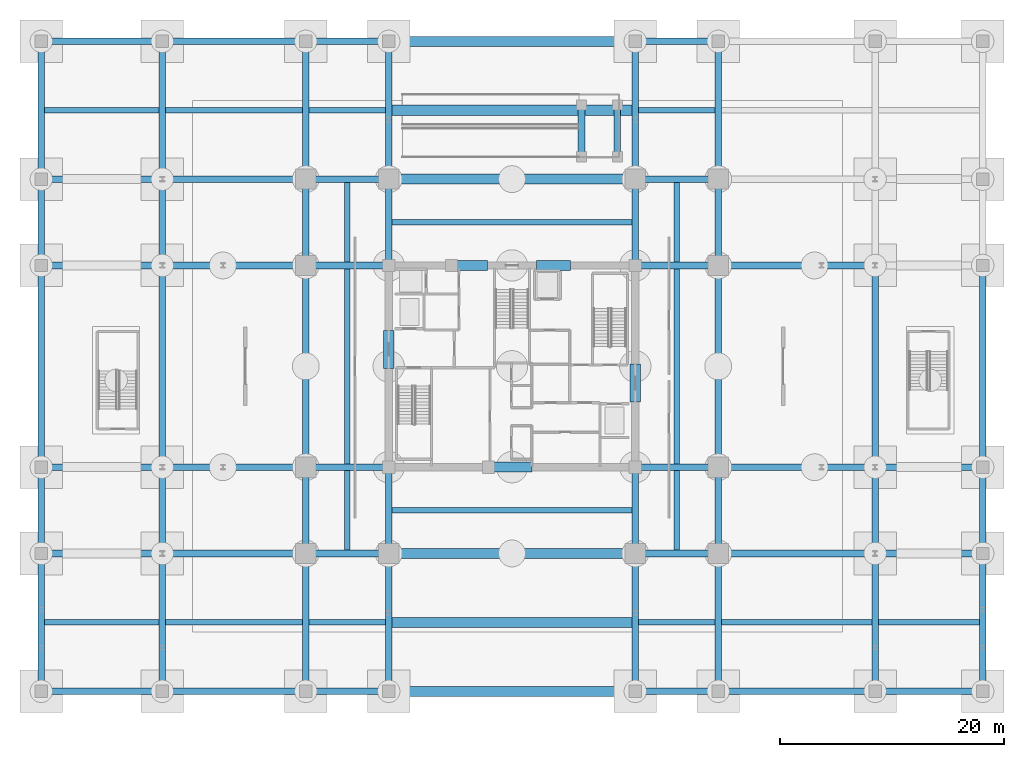
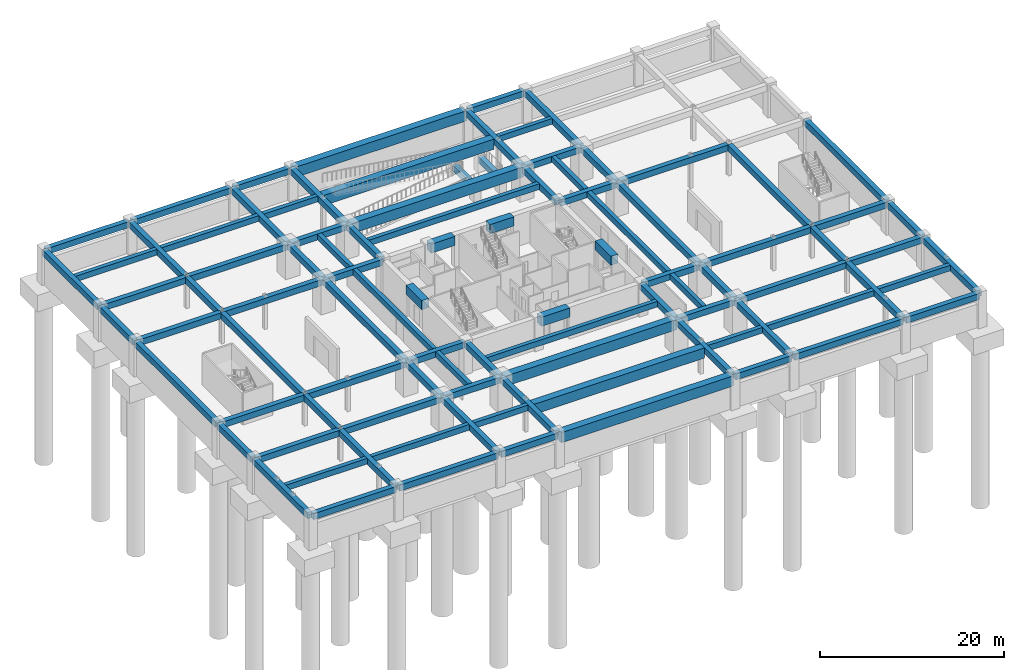
# One storey, part 5 of 17: 96 beams.
"""IFC4 building model written with IfcOpenShell, lengths in metres."""

from ifc_helpers import new_model, si_unit, direction, frame, origin, origin_2d, place, context, subcontext, project, spatial, rectangle, extrude, material, material_profile, profile_set, type_object, element, save


model = new_model("IFC4")

# Units and contexts
model_context = context("Model", 3, precision=1e-05, world=origin(), true_north=direction((0.0, 1.0)))
body_context = subcontext(model_context, "Body", "Model", "MODEL_VIEW")
ifc_project = project(units=[si_unit("LENGTHUNIT", "METRE"), si_unit("AREAUNIT", "SQUARE_METRE"), si_unit("VOLUMEUNIT", "CUBIC_METRE"), si_unit("PLANEANGLEUNIT", "RADIAN"), si_unit("MASSUNIT", "GRAM", prefix="KILO")], contexts=[model_context])

# Site, building, storey
site_placement = place(None, origin())
site = spatial("IfcSite", under=ifc_project, at=site_placement, CompositionType="ELEMENT")
building_placement = place(site_placement, origin())
building = spatial("IfcBuilding", under=site, at=building_placement, Name="Kovane Verandah Tower", CompositionType="ELEMENT")
storey_placement = place(building_placement, frame((0.0, 0.0, -9.0)))
storey = spatial("IfcBuildingStorey", under=building, at=storey_placement, Name="B2", CompositionType="ELEMENT", Elevation=-9.0)

# Beams
ifc_material_1 = material(Name="Concrete C80/95", Category="concrete")
ifc_material_profile_1 = material_profile(ifc_material_1, rectangle(XDim=0.89990234375, YDim=1.199951171875, at=origin_2d()), Name="RCB900x1200")
ifc_profile_set_1 = profile_set([ifc_material_profile_1], Name="Concrete C80/95")
beam_type_1 = type_object("IfcBeamType", Name="BM-LINTEL-900x1200", PredefinedType="LINTEL", material=ifc_profile_set_1)
beam_1_placement = place(storey_placement, frame((38.199951171875, 18.5, 3.60009765625), z_axis=(1.0, 0.0, 0.0), x_axis=(0.0, 1.0, 0.0)))
element("IfcBeam", 1, at=beam_1_placement, inside=storey, type_object=beam_type_1, Name="B2 Core Coupling Lintel CL-S", PredefinedType="LINTEL", context=body_context, shape_type="SweptSolid", body=[
    extrude(rectangle(XDim=0.89990234375, YDim=1.199951171875, at=origin_2d()), origin(), (0.0, 0.0, 1.0), 3.60009765625),
])
for number, where, z_axis, x_axis, name in (
    (2, (34.800048828125, 36.5, 3.60009765625), (1.0, 0.0, 0.0), (0.0, 1.0, 0.0), "B2 Core Coupling Lintel CL-N1"),
    (3, (42.199951171875, 36.5, 3.60009765625), (1.0, 0.0, 0.0), (0.0, 1.0, 0.0), "B2 Core Coupling Lintel CL-N2"),
):
    element("IfcBeam", number, at=place(storey_placement, frame(where, z_axis=z_axis, x_axis=x_axis)), inside=storey, type_object=beam_type_1, Name=name, PredefinedType="LINTEL", context=body_context, shape_type="SweptSolid", body=[
        extrude(rectangle(XDim=0.89990234375, YDim=1.199951171875, at=origin_2d()), origin(), (0.0, 0.0, 1.0), 3.0),
    ])
for number, where, z_axis, x_axis, name in (
    (4, (29.0, 27.300048828125, 3.60009765625), (0.0, 1.0, 0.0), (-1.0, 0.0, 0.0), "B2 Core Coupling Lintel CL-W"),
    (5, (51.0, 24.300048828125, 3.60009765625), (0.0, 1.0, 0.0), (-1.0, 0.0, 0.0), "B2 Core Coupling Lintel CL-E"),
):
    element("IfcBeam", number, at=place(storey_placement, frame(where, z_axis=z_axis, x_axis=x_axis)), inside=storey, type_object=beam_type_1, Name=name, PredefinedType="LINTEL", context=body_context, shape_type="SweptSolid", body=[
        extrude(rectangle(XDim=0.89990234375, YDim=1.199951171875, at=origin_2d()), origin(), (0.0, 0.0, 1.0), 3.39990234375),
    ])
ifc_material_2 = material(Name="Concrete C45/55", Category="concrete")
ifc_material_profile_2 = material_profile(ifc_material_2, rectangle(XDim=0.5, YDim=0.75, at=origin_2d()), Name="RCB500x750")
ifc_profile_set_2 = profile_set([ifc_material_profile_2], Name="Concrete C45/55")
beam_type_2 = type_object("IfcBeamType", Name="BM-RC-500x750", PredefinedType="BEAM", material=ifc_profile_set_2)
for number, where, z_axis, x_axis, name in (
    (6, (29.298095703125, 40.35009765625, 3.824951171875), (1.0, 0.0, 0.0), (0.0, 1.0, 0.0), "B2 Secondary Composite Joist J-N1"),
    (7, (29.298095703125, 14.64990234375, 3.824951171875), (1.0, 0.0, 0.0), (0.0, 1.0, 0.0), "B2 Secondary Composite Joist J-S1"),
):
    element("IfcBeam", number, at=place(storey_placement, frame(where, z_axis=z_axis, x_axis=x_axis)), inside=storey, type_object=beam_type_2, Name=name, PredefinedType="BEAM", context=body_context, shape_type="SweptSolid", body=[
        extrude(rectangle(XDim=0.5, YDim=0.75, at=origin_2d()), origin(), (0.0, 0.0, 1.0), 21.40380859375),
    ])
for number, where, z_axis, x_axis, name in (
    (8, (25.300048828125, 18.798095703125, 3.824951171875), (0.0, 1.0, 0.0), (-1.0, 0.0, 0.0), "B2 Secondary Composite Joist J-W1"),
    (9, (54.699951171875, 18.798095703125, 3.824951171875), (0.0, 1.0, 0.0), (-1.0, 0.0, 0.0), "B2 Secondary Composite Joist J-E1"),
):
    element("IfcBeam", number, at=place(storey_placement, frame(where, z_axis=z_axis, x_axis=x_axis)), inside=storey, type_object=beam_type_2, Name=name, PredefinedType="BEAM", context=body_context, shape_type="SweptSolid", body=[
        extrude(rectangle(XDim=0.5, YDim=0.75, at=origin_2d()), origin(), (0.0, 0.0, 1.0), 17.40380859375),
    ])
for number, where, z_axis, x_axis, name in (
    (10, (25.300048828125, 11.097900390625, 3.824951171875), (0.0, 1.0, 0.0), (-1.0, 0.0, 0.0), "B2 Secondary Composite Joist J-SW1"),
    (11, (54.699951171875, 11.097900390625, 3.824951171875), (0.0, 1.0, 0.0), (-1.0, 0.0, 0.0), "B2 Secondary Composite Joist J-SE1"),
    (12, (25.300048828125, 36.798095703125, 3.824951171875), (0.0, 1.0, 0.0), (-1.0, 0.0, 0.0), "B2 Secondary Composite Joist J-NW1"),
    (13, (54.699951171875, 36.798095703125, 3.824951171875), (0.0, 1.0, 0.0), (-1.0, 0.0, 0.0), "B2 Secondary Composite Joist J-NE1"),
):
    element("IfcBeam", number, at=place(storey_placement, frame(where, z_axis=z_axis, x_axis=x_axis)), inside=storey, type_object=beam_type_2, Name=name, PredefinedType="BEAM", context=body_context, shape_type="SweptSolid", body=[
        extrude(rectangle(XDim=0.5, YDim=0.75, at=origin_2d()), origin(), (0.0, 0.0, 1.0), 7.10400390625),
    ])
beam_2_placement = place(storey_placement, frame((-1.701904296875, 4.64990234375, 3.824951171875), z_axis=(1.0, 0.0, 0.0), x_axis=(0.0, 1.0, 0.0)))
element("IfcBeam", 14, at=beam_2_placement, inside=storey, type_object=beam_type_2, Name="B2 Podium Secondary Joist 01", PredefinedType="BEAM", context=body_context, shape_type="SweptSolid", body=[
    extrude(rectangle(XDim=0.5, YDim=0.75, at=origin_2d()), origin(), (0.0, 0.0, 1.0), 10.203857421875),
])
beam_3_placement = place(storey_placement, frame((9.097900390625, 4.64990234375, 3.824951171875), z_axis=(1.0, 0.0, 0.0), x_axis=(0.0, 1.0, 0.0)))
element("IfcBeam", 15, at=beam_3_placement, inside=storey, type_object=beam_type_2, Name="B2 Podium Secondary Joist 02", PredefinedType="BEAM", context=body_context, shape_type="SweptSolid", body=[
    extrude(rectangle(XDim=0.5, YDim=0.75, at=origin_2d()), origin(), (0.0, 0.0, 1.0), 12.2041015625),
])
for number, where, z_axis, x_axis, name in (
    (16, (21.89794921875, 4.64990234375, 3.824951171875), (1.0, 0.0, 0.0), (0.0, 1.0, 0.0), "B2 Podium Secondary Joist 03"),
    (17, (51.298095703125, 4.64990234375, 3.824951171875), (1.0, 0.0, 0.0), (0.0, 1.0, 0.0), "B2 Podium Secondary Joist 05"),
):
    element("IfcBeam", number, at=place(storey_placement, frame(where, z_axis=z_axis, x_axis=x_axis)), inside=storey, type_object=beam_type_2, Name=name, PredefinedType="BEAM", context=body_context, shape_type="SweptSolid", body=[
        extrude(rectangle(XDim=0.5, YDim=0.75, at=origin_2d()), origin(), (0.0, 0.0, 1.0), 6.803955078125),
    ])
beam_4_placement = place(storey_placement, frame((58.697998046875, 4.64990234375, 3.824951171875), z_axis=(1.0, 0.0, 0.0), x_axis=(0.0, 1.0, 0.0)))
element("IfcBeam", 18, at=beam_4_placement, inside=storey, type_object=beam_type_2, Name="B2 Podium Secondary Joist 06", PredefinedType="BEAM", context=body_context, shape_type="SweptSolid", body=[
    extrude(rectangle(XDim=0.5, YDim=0.75, at=origin_2d()), origin(), (0.0, 0.0, 1.0), 13.404052734375),
])
beam_5_placement = place(storey_placement, frame((72.697998046875, 4.64990234375, 3.824951171875), z_axis=(1.0, 0.0, 0.0), x_axis=(0.0, 1.0, 0.0)))
element("IfcBeam", 19, at=beam_5_placement, inside=storey, type_object=beam_type_2, Name="B2 Podium Secondary Joist 07", PredefinedType="BEAM", context=body_context, shape_type="SweptSolid", body=[
    extrude(rectangle(XDim=0.5, YDim=0.75, at=origin_2d()), origin(), (0.0, 0.0, 1.0), 9.00390625),
])
beam_6_placement = place(storey_placement, frame((-1.701904296875, 50.35009765625, 3.824951171875), z_axis=(1.0, 0.0, 0.0), x_axis=(0.0, 1.0, 0.0)))
element("IfcBeam", 20, at=beam_6_placement, inside=storey, type_object=beam_type_2, Name="B2 Podium Secondary Joist 08", PredefinedType="BEAM", context=body_context, shape_type="SweptSolid", body=[
    extrude(rectangle(XDim=0.5, YDim=0.75, at=origin_2d()), origin(), (0.0, 0.0, 1.0), 10.203857421875),
])
beam_7_placement = place(storey_placement, frame((9.097900390625, 50.35009765625, 3.824951171875), z_axis=(1.0, 0.0, 0.0), x_axis=(0.0, 1.0, 0.0)))
element("IfcBeam", 21, at=beam_7_placement, inside=storey, type_object=beam_type_2, Name="B2 Podium Secondary Joist 09", PredefinedType="BEAM", context=body_context, shape_type="SweptSolid", body=[
    extrude(rectangle(XDim=0.5, YDim=0.75, at=origin_2d()), origin(), (0.0, 0.0, 1.0), 12.2041015625),
])
for number, where, z_axis, x_axis, name in (
    (22, (21.89794921875, 50.35009765625, 3.824951171875), (1.0, 0.0, 0.0), (0.0, 1.0, 0.0), "B2 Podium Secondary Joist 10"),
    (23, (51.298095703125, 50.35009765625, 3.824951171875), (1.0, 0.0, 0.0), (0.0, 1.0, 0.0), "B2 Podium Secondary Joist 12"),
):
    element("IfcBeam", number, at=place(storey_placement, frame(where, z_axis=z_axis, x_axis=x_axis)), inside=storey, type_object=beam_type_2, Name=name, PredefinedType="BEAM", context=body_context, shape_type="SweptSolid", body=[
        extrude(rectangle(XDim=0.5, YDim=0.75, at=origin_2d()), origin(), (0.0, 0.0, 1.0), 6.803955078125),
    ])
ifc_material_profile_3 = material_profile(ifc_material_2, rectangle(XDim=0.60009765625, YDim=0.800048828125, at=origin_2d()), Name="RCB600x800")
ifc_profile_set_3 = profile_set([ifc_material_profile_3], Name="Concrete C45/55")
beam_type_3 = type_object("IfcBeamType", Name="BM-RC-600x800", PredefinedType="BEAM", material=ifc_profile_set_3)
for number, where, z_axis, x_axis, name in (
    (24, (21.780029296875, 44.199951171875, 3.800048828125), (1.0, 0.0, 0.0), (0.0, 1.0, 0.0), "B2 Primary Tower Girder G-RN1"),
    (25, (51.179931640625, 44.199951171875, 3.800048828125), (1.0, 0.0, 0.0), (0.0, 1.0, 0.0), "B2 Primary Tower Girder G-RN3"),
    (26, (21.780029296875, 10.800048828125, 3.800048828125), (1.0, 0.0, 0.0), (0.0, 1.0, 0.0), "B2 Primary Tower Girder G-RS1"),
    (27, (51.179931640625, 10.800048828125, 3.800048828125), (1.0, 0.0, 0.0), (0.0, 1.0, 0.0), "B2 Primary Tower Girder G-RS3"),
):
    element("IfcBeam", number, at=place(storey_placement, frame(where, z_axis=z_axis, x_axis=x_axis)), inside=storey, type_object=beam_type_3, Name=name, PredefinedType="BEAM", context=body_context, shape_type="SweptSolid", body=[
        extrude(rectangle(XDim=0.60009765625, YDim=0.800048828125, at=origin_2d()), origin(), (0.0, 0.0, 1.0), 7.0400390625),
    ])
beam_8_placement = place(storey_placement, frame((21.60009765625, 10.97998046875, 3.800048828125), z_axis=(0.0, 1.0, 0.0), x_axis=(-1.0, 0.0, 0.0)))
element("IfcBeam", 28, at=beam_8_placement, inside=storey, type_object=beam_type_3, Name="B2 Primary Tower Girder G-RW1", PredefinedType="BEAM", context=body_context, shape_type="SweptSolid", body=[
    extrude(rectangle(XDim=0.60009765625, YDim=0.800048828125, at=origin_2d()), origin(), (0.0, 0.0, 1.0), 7.340087890625),
])
beam_9_placement = place(storey_placement, frame((21.60009765625, 18.679931640625, 3.800048828125), z_axis=(0.0, 1.0, 0.0), x_axis=(-1.0, 0.0, 0.0)))
element("IfcBeam", 29, at=beam_9_placement, inside=storey, type_object=beam_type_3, Name="B2 Primary Tower Girder G-RW2", PredefinedType="BEAM", context=body_context, shape_type="SweptSolid", body=[
    extrude(rectangle(XDim=0.60009765625, YDim=0.800048828125, at=origin_2d()), origin(), (0.0, 0.0, 1.0), 17.64013671875),
])
for number, where, z_axis, x_axis, name in (
    (30, (21.60009765625, 36.679931640625, 3.800048828125), (0.0, 1.0, 0.0), (-1.0, 0.0, 0.0), "B2 Primary Tower Girder G-RW3"),
    (31, (58.39990234375, 10.97998046875, 3.800048828125), (0.0, 1.0, 0.0), (-1.0, 0.0, 0.0), "B2 Primary Tower Girder G-RE1"),
):
    element("IfcBeam", number, at=place(storey_placement, frame(where, z_axis=z_axis, x_axis=x_axis)), inside=storey, type_object=beam_type_3, Name=name, PredefinedType="BEAM", context=body_context, shape_type="SweptSolid", body=[
        extrude(rectangle(XDim=0.60009765625, YDim=0.800048828125, at=origin_2d()), origin(), (0.0, 0.0, 1.0), 7.340087890625),
    ])
beam_10_placement = place(storey_placement, frame((58.39990234375, 18.679931640625, 3.800048828125), z_axis=(0.0, 1.0, 0.0), x_axis=(-1.0, 0.0, 0.0)))
element("IfcBeam", 32, at=beam_10_placement, inside=storey, type_object=beam_type_3, Name="B2 Primary Tower Girder G-RE2", PredefinedType="BEAM", context=body_context, shape_type="SweptSolid", body=[
    extrude(rectangle(XDim=0.60009765625, YDim=0.800048828125, at=origin_2d()), origin(), (0.0, 0.0, 1.0), 17.64013671875),
])
beam_11_placement = place(storey_placement, frame((58.39990234375, 36.679931640625, 3.800048828125), z_axis=(0.0, 1.0, 0.0), x_axis=(-1.0, 0.0, 0.0)))
element("IfcBeam", 33, at=beam_11_placement, inside=storey, type_object=beam_type_3, Name="B2 Primary Tower Girder G-RE3", PredefinedType="BEAM", context=body_context, shape_type="SweptSolid", body=[
    extrude(rectangle(XDim=0.60009765625, YDim=0.800048828125, at=origin_2d()), origin(), (0.0, 0.0, 1.0), 7.340087890625),
])
for number, where, z_axis, x_axis, name in (
    (34, (28.820068359375, 18.5, 3.800048828125), (-1.0, 0.0, 0.0), (0.0, -1.0, 0.0), "B2 Primary Tower Girder G-W1"),
    (35, (28.820068359375, 36.5, 3.800048828125), (-1.0, 0.0, 0.0), (0.0, -1.0, 0.0), "B2 Primary Tower Girder G-W2"),
    (36, (51.179931640625, 18.5, 3.800048828125), (1.0, 0.0, 0.0), (0.0, 1.0, 0.0), "B2 Primary Tower Girder G-E1"),
    (37, (51.179931640625, 36.5, 3.800048828125), (1.0, 0.0, 0.0), (0.0, 1.0, 0.0), "B2 Primary Tower Girder G-E2"),
):
    element("IfcBeam", number, at=place(storey_placement, frame(where, z_axis=z_axis, x_axis=x_axis)), inside=storey, type_object=beam_type_3, Name=name, PredefinedType="BEAM", context=body_context, shape_type="SweptSolid", body=[
        extrude(rectangle(XDim=0.60009765625, YDim=0.800048828125, at=origin_2d()), origin(), (0.0, 0.0, 1.0), 7.0400390625),
    ])
for number, where, z_axis, x_axis, name in (
    (38, (29.0, 18.320068359375, 3.800048828125), (0.0, -1.0, 0.0), (1.0, 0.0, 0.0), "B2 Primary Tower Girder G-S1"),
    (39, (51.0, 18.320068359375, 3.800048828125), (0.0, -1.0, 0.0), (1.0, 0.0, 0.0), "B2 Primary Tower Girder G-S2"),
    (40, (29.0, 36.679931640625, 3.800048828125), (0.0, 1.0, 0.0), (-1.0, 0.0, 0.0), "B2 Primary Tower Girder G-N1"),
    (41, (51.0, 36.679931640625, 3.800048828125), (0.0, 1.0, 0.0), (-1.0, 0.0, 0.0), "B2 Primary Tower Girder G-N2"),
):
    element("IfcBeam", number, at=place(storey_placement, frame(where, z_axis=z_axis, x_axis=x_axis)), inside=storey, type_object=beam_type_3, Name=name, PredefinedType="BEAM", context=body_context, shape_type="SweptSolid", body=[
        extrude(rectangle(XDim=0.60009765625, YDim=0.800048828125, at=origin_2d()), origin(), (0.0, 0.0, 1.0), 7.340087890625),
    ])
beam_12_placement = place(storey_placement, frame((-1.820068359375, -1.5, 3.800048828125), z_axis=(1.0, 0.0, 0.0), x_axis=(0.0, 1.0, 0.0)))
element("IfcBeam", 42, at=beam_12_placement, inside=storey, type_object=beam_type_3, Name="B2 Podium Grid Girder X01", PredefinedType="BEAM", context=body_context, shape_type="SweptSolid", body=[
    extrude(rectangle(XDim=0.60009765625, YDim=0.800048828125, at=origin_2d()), origin(), (0.0, 0.0, 1.0), 10.440185546875),
])
beam_13_placement = place(storey_placement, frame((8.97998046875, -1.5, 3.800048828125), z_axis=(1.0, 0.0, 0.0), x_axis=(0.0, 1.0, 0.0)))
element("IfcBeam", 43, at=beam_13_placement, inside=storey, type_object=beam_type_3, Name="B2 Podium Grid Girder X02", PredefinedType="BEAM", context=body_context, shape_type="SweptSolid", body=[
    extrude(rectangle(XDim=0.60009765625, YDim=0.800048828125, at=origin_2d()), origin(), (0.0, 0.0, 1.0), 12.43994140625),
])
for number, where, z_axis, x_axis, name in (
    (44, (21.780029296875, -1.5, 3.800048828125), (1.0, 0.0, 0.0), (0.0, 1.0, 0.0), "B2 Podium Grid Girder X03"),
    (45, (51.179931640625, -1.5, 3.800048828125), (1.0, 0.0, 0.0), (0.0, 1.0, 0.0), "B2 Podium Grid Girder X05"),
):
    element("IfcBeam", number, at=place(storey_placement, frame(where, z_axis=z_axis, x_axis=x_axis)), inside=storey, type_object=beam_type_3, Name=name, PredefinedType="BEAM", context=body_context, shape_type="SweptSolid", body=[
        extrude(rectangle(XDim=0.60009765625, YDim=0.800048828125, at=origin_2d()), origin(), (0.0, 0.0, 1.0), 7.0400390625),
    ])
beam_14_placement = place(storey_placement, frame((58.580078125, -1.5, 3.800048828125), z_axis=(1.0, 0.0, 0.0), x_axis=(0.0, 1.0, 0.0)))
element("IfcBeam", 46, at=beam_14_placement, inside=storey, type_object=beam_type_3, Name="B2 Podium Grid Girder X06", PredefinedType="BEAM", context=body_context, shape_type="SweptSolid", body=[
    extrude(rectangle(XDim=0.60009765625, YDim=0.800048828125, at=origin_2d()), origin(), (0.0, 0.0, 1.0), 13.639892578125),
])
beam_15_placement = place(storey_placement, frame((72.580078125, -1.5, 3.800048828125), z_axis=(1.0, 0.0, 0.0), x_axis=(0.0, 1.0, 0.0)))
element("IfcBeam", 47, at=beam_15_placement, inside=storey, type_object=beam_type_3, Name="B2 Podium Grid Girder X07", PredefinedType="BEAM", context=body_context, shape_type="SweptSolid", body=[
    extrude(rectangle(XDim=0.60009765625, YDim=0.800048828125, at=origin_2d()), origin(), (0.0, 0.0, 1.0), 9.239990234375),
])
beam_16_placement = place(storey_placement, frame((-1.820068359375, 10.800048828125, 3.800048828125), z_axis=(1.0, 0.0, 0.0), x_axis=(0.0, 1.0, 0.0)))
element("IfcBeam", 48, at=beam_16_placement, inside=storey, type_object=beam_type_3, Name="B2 Podium Grid Girder X08", PredefinedType="BEAM", context=body_context, shape_type="SweptSolid", body=[
    extrude(rectangle(XDim=0.60009765625, YDim=0.800048828125, at=origin_2d()), origin(), (0.0, 0.0, 1.0), 10.440185546875),
])
beam_17_placement = place(storey_placement, frame((8.97998046875, 10.800048828125, 3.800048828125), z_axis=(1.0, 0.0, 0.0), x_axis=(0.0, 1.0, 0.0)))
element("IfcBeam", 49, at=beam_17_placement, inside=storey, type_object=beam_type_3, Name="B2 Podium Grid Girder X09", PredefinedType="BEAM", context=body_context, shape_type="SweptSolid", body=[
    extrude(rectangle(XDim=0.60009765625, YDim=0.800048828125, at=origin_2d()), origin(), (0.0, 0.0, 1.0), 12.43994140625),
])
beam_18_placement = place(storey_placement, frame((58.580078125, 10.800048828125, 3.800048828125), z_axis=(1.0, 0.0, 0.0), x_axis=(0.0, 1.0, 0.0)))
element("IfcBeam", 50, at=beam_18_placement, inside=storey, type_object=beam_type_3, Name="B2 Podium Grid Girder X10", PredefinedType="BEAM", context=body_context, shape_type="SweptSolid", body=[
    extrude(rectangle(XDim=0.60009765625, YDim=0.800048828125, at=origin_2d()), origin(), (0.0, 0.0, 1.0), 13.639892578125),
])
beam_19_placement = place(storey_placement, frame((72.580078125, 10.800048828125, 3.800048828125), z_axis=(1.0, 0.0, 0.0), x_axis=(0.0, 1.0, 0.0)))
element("IfcBeam", 51, at=beam_19_placement, inside=storey, type_object=beam_type_3, Name="B2 Podium Grid Girder X11", PredefinedType="BEAM", context=body_context, shape_type="SweptSolid", body=[
    extrude(rectangle(XDim=0.60009765625, YDim=0.800048828125, at=origin_2d()), origin(), (0.0, 0.0, 1.0), 9.239990234375),
])
beam_20_placement = place(storey_placement, frame((-1.820068359375, 18.5, 3.800048828125), z_axis=(1.0, 0.0, 0.0), x_axis=(0.0, 1.0, 0.0)))
element("IfcBeam", 52, at=beam_20_placement, inside=storey, type_object=beam_type_3, Name="B2 Podium Grid Girder X12", PredefinedType="BEAM", context=body_context, shape_type="SweptSolid", body=[
    extrude(rectangle(XDim=0.60009765625, YDim=0.800048828125, at=origin_2d()), origin(), (0.0, 0.0, 1.0), 10.440185546875),
])
beam_21_placement = place(storey_placement, frame((8.97998046875, 18.5, 3.800048828125), z_axis=(1.0, 0.0, 0.0), x_axis=(0.0, 1.0, 0.0)))
element("IfcBeam", 53, at=beam_21_placement, inside=storey, type_object=beam_type_3, Name="B2 Podium Grid Girder X13", PredefinedType="BEAM", context=body_context, shape_type="SweptSolid", body=[
    extrude(rectangle(XDim=0.60009765625, YDim=0.800048828125, at=origin_2d()), origin(), (0.0, 0.0, 1.0), 12.43994140625),
])
beam_22_placement = place(storey_placement, frame((58.580078125, 18.5, 3.800048828125), z_axis=(1.0, 0.0, 0.0), x_axis=(0.0, 1.0, 0.0)))
element("IfcBeam", 54, at=beam_22_placement, inside=storey, type_object=beam_type_3, Name="B2 Podium Grid Girder X14", PredefinedType="BEAM", context=body_context, shape_type="SweptSolid", body=[
    extrude(rectangle(XDim=0.60009765625, YDim=0.800048828125, at=origin_2d()), origin(), (0.0, 0.0, 1.0), 13.639892578125),
])
beam_23_placement = place(storey_placement, frame((72.580078125, 18.5, 3.800048828125), z_axis=(1.0, 0.0, 0.0), x_axis=(0.0, 1.0, 0.0)))
element("IfcBeam", 55, at=beam_23_placement, inside=storey, type_object=beam_type_3, Name="B2 Podium Grid Girder X15", PredefinedType="BEAM", context=body_context, shape_type="SweptSolid", body=[
    extrude(rectangle(XDim=0.60009765625, YDim=0.800048828125, at=origin_2d()), origin(), (0.0, 0.0, 1.0), 9.239990234375),
])
beam_24_placement = place(storey_placement, frame((-1.820068359375, 36.5, 3.800048828125), z_axis=(1.0, 0.0, 0.0), x_axis=(0.0, 1.0, 0.0)))
element("IfcBeam", 56, at=beam_24_placement, inside=storey, type_object=beam_type_3, Name="B2 Podium Grid Girder X16", PredefinedType="BEAM", context=body_context, shape_type="SweptSolid", body=[
    extrude(rectangle(XDim=0.60009765625, YDim=0.800048828125, at=origin_2d()), origin(), (0.0, 0.0, 1.0), 10.440185546875),
])
beam_25_placement = place(storey_placement, frame((8.97998046875, 36.5, 3.800048828125), z_axis=(1.0, 0.0, 0.0), x_axis=(0.0, 1.0, 0.0)))
element("IfcBeam", 57, at=beam_25_placement, inside=storey, type_object=beam_type_3, Name="B2 Podium Grid Girder X17", PredefinedType="BEAM", context=body_context, shape_type="SweptSolid", body=[
    extrude(rectangle(XDim=0.60009765625, YDim=0.800048828125, at=origin_2d()), origin(), (0.0, 0.0, 1.0), 12.43994140625),
])
beam_26_placement = place(storey_placement, frame((58.580078125, 36.5, 3.800048828125), z_axis=(1.0, 0.0, 0.0), x_axis=(0.0, 1.0, 0.0)))
element("IfcBeam", 58, at=beam_26_placement, inside=storey, type_object=beam_type_3, Name="B2 Podium Grid Girder X18", PredefinedType="BEAM", context=body_context, shape_type="SweptSolid", body=[
    extrude(rectangle(XDim=0.60009765625, YDim=0.800048828125, at=origin_2d()), origin(), (0.0, 0.0, 1.0), 13.639892578125),
])
beam_27_placement = place(storey_placement, frame((-1.820068359375, 44.199951171875, 3.800048828125), z_axis=(1.0, 0.0, 0.0), x_axis=(0.0, 1.0, 0.0)))
element("IfcBeam", 59, at=beam_27_placement, inside=storey, type_object=beam_type_3, Name="B2 Podium Grid Girder X20", PredefinedType="BEAM", context=body_context, shape_type="SweptSolid", body=[
    extrude(rectangle(XDim=0.60009765625, YDim=0.800048828125, at=origin_2d()), origin(), (0.0, 0.0, 1.0), 10.440185546875),
])
beam_28_placement = place(storey_placement, frame((8.97998046875, 44.199951171875, 3.800048828125), z_axis=(1.0, 0.0, 0.0), x_axis=(0.0, 1.0, 0.0)))
element("IfcBeam", 60, at=beam_28_placement, inside=storey, type_object=beam_type_3, Name="B2 Podium Grid Girder X21", PredefinedType="BEAM", context=body_context, shape_type="SweptSolid", body=[
    extrude(rectangle(XDim=0.60009765625, YDim=0.800048828125, at=origin_2d()), origin(), (0.0, 0.0, 1.0), 12.43994140625),
])
beam_29_placement = place(storey_placement, frame((-1.820068359375, 56.5, 3.800048828125), z_axis=(1.0, 0.0, 0.0), x_axis=(0.0, 1.0, 0.0)))
element("IfcBeam", 61, at=beam_29_placement, inside=storey, type_object=beam_type_3, Name="B2 Podium Grid Girder X24", PredefinedType="BEAM", context=body_context, shape_type="SweptSolid", body=[
    extrude(rectangle(XDim=0.60009765625, YDim=0.800048828125, at=origin_2d()), origin(), (0.0, 0.0, 1.0), 10.440185546875),
])
beam_30_placement = place(storey_placement, frame((8.97998046875, 56.5, 3.800048828125), z_axis=(1.0, 0.0, 0.0), x_axis=(0.0, 1.0, 0.0)))
element("IfcBeam", 62, at=beam_30_placement, inside=storey, type_object=beam_type_3, Name="B2 Podium Grid Girder X25", PredefinedType="BEAM", context=body_context, shape_type="SweptSolid", body=[
    extrude(rectangle(XDim=0.60009765625, YDim=0.800048828125, at=origin_2d()), origin(), (0.0, 0.0, 1.0), 12.43994140625),
])
for number, where, z_axis, x_axis, name in (
    (63, (21.780029296875, 56.5, 3.800048828125), (1.0, 0.0, 0.0), (0.0, 1.0, 0.0), "B2 Podium Grid Girder X26"),
    (64, (51.179931640625, 56.5, 3.800048828125), (1.0, 0.0, 0.0), (0.0, 1.0, 0.0), "B2 Podium Grid Girder X28"),
):
    element("IfcBeam", number, at=place(storey_placement, frame(where, z_axis=z_axis, x_axis=x_axis)), inside=storey, type_object=beam_type_3, Name=name, PredefinedType="BEAM", context=body_context, shape_type="SweptSolid", body=[
        extrude(rectangle(XDim=0.60009765625, YDim=0.800048828125, at=origin_2d()), origin(), (0.0, 0.0, 1.0), 7.0400390625),
    ])
beam_31_placement = place(storey_placement, frame((-2.0, -1.320068359375, 3.800048828125), z_axis=(0.0, 1.0, 0.0), x_axis=(-1.0, 0.0, 0.0)))
element("IfcBeam", 65, at=beam_31_placement, inside=storey, type_object=beam_type_3, Name="B2 Podium Grid Girder Y31", PredefinedType="BEAM", context=body_context, shape_type="SweptSolid", body=[
    extrude(rectangle(XDim=0.60009765625, YDim=0.800048828125, at=origin_2d()), origin(), (0.0, 0.0, 1.0), 11.940185546875),
])
beam_32_placement = place(storey_placement, frame((-2.0, 10.97998046875, 3.800048828125), z_axis=(0.0, 1.0, 0.0), x_axis=(-1.0, 0.0, 0.0)))
element("IfcBeam", 66, at=beam_32_placement, inside=storey, type_object=beam_type_3, Name="B2 Podium Grid Girder Y32", PredefinedType="BEAM", context=body_context, shape_type="SweptSolid", body=[
    extrude(rectangle(XDim=0.60009765625, YDim=0.800048828125, at=origin_2d()), origin(), (0.0, 0.0, 1.0), 7.340087890625),
])
beam_33_placement = place(storey_placement, frame((-2.0, 18.679931640625, 3.800048828125), z_axis=(0.0, 1.0, 0.0), x_axis=(-1.0, 0.0, 0.0)))
element("IfcBeam", 67, at=beam_33_placement, inside=storey, type_object=beam_type_3, Name="B2 Podium Grid Girder Y33", PredefinedType="BEAM", context=body_context, shape_type="SweptSolid", body=[
    extrude(rectangle(XDim=0.60009765625, YDim=0.800048828125, at=origin_2d()), origin(), (0.0, 0.0, 1.0), 17.64013671875),
])
beam_34_placement = place(storey_placement, frame((-2.0, 36.679931640625, 3.800048828125), z_axis=(0.0, 1.0, 0.0), x_axis=(-1.0, 0.0, 0.0)))
element("IfcBeam", 68, at=beam_34_placement, inside=storey, type_object=beam_type_3, Name="B2 Podium Grid Girder Y34", PredefinedType="BEAM", context=body_context, shape_type="SweptSolid", body=[
    extrude(rectangle(XDim=0.60009765625, YDim=0.800048828125, at=origin_2d()), origin(), (0.0, 0.0, 1.0), 7.340087890625),
])
for number, where, z_axis, x_axis, name in (
    (69, (-2.0, 44.3798828125, 3.800048828125), (0.0, 1.0, 0.0), (-1.0, 0.0, 0.0), "B2 Podium Grid Girder Y35"),
    (70, (8.800048828125, -1.320068359375, 3.800048828125), (0.0, 1.0, 0.0), (-1.0, 0.0, 0.0), "B2 Podium Grid Girder Y36"),
):
    element("IfcBeam", number, at=place(storey_placement, frame(where, z_axis=z_axis, x_axis=x_axis)), inside=storey, type_object=beam_type_3, Name=name, PredefinedType="BEAM", context=body_context, shape_type="SweptSolid", body=[
        extrude(rectangle(XDim=0.60009765625, YDim=0.800048828125, at=origin_2d()), origin(), (0.0, 0.0, 1.0), 11.940185546875),
    ])
beam_35_placement = place(storey_placement, frame((8.800048828125, 10.97998046875, 3.800048828125), z_axis=(0.0, 1.0, 0.0), x_axis=(-1.0, 0.0, 0.0)))
element("IfcBeam", 71, at=beam_35_placement, inside=storey, type_object=beam_type_3, Name="B2 Podium Grid Girder Y37", PredefinedType="BEAM", context=body_context, shape_type="SweptSolid", body=[
    extrude(rectangle(XDim=0.60009765625, YDim=0.800048828125, at=origin_2d()), origin(), (0.0, 0.0, 1.0), 7.340087890625),
])
beam_36_placement = place(storey_placement, frame((8.800048828125, 18.679931640625, 3.800048828125), z_axis=(0.0, 1.0, 0.0), x_axis=(-1.0, 0.0, 0.0)))
element("IfcBeam", 72, at=beam_36_placement, inside=storey, type_object=beam_type_3, Name="B2 Podium Grid Girder Y38", PredefinedType="BEAM", context=body_context, shape_type="SweptSolid", body=[
    extrude(rectangle(XDim=0.60009765625, YDim=0.800048828125, at=origin_2d()), origin(), (0.0, 0.0, 1.0), 17.64013671875),
])
beam_37_placement = place(storey_placement, frame((8.800048828125, 36.679931640625, 3.800048828125), z_axis=(0.0, 1.0, 0.0), x_axis=(-1.0, 0.0, 0.0)))
element("IfcBeam", 73, at=beam_37_placement, inside=storey, type_object=beam_type_3, Name="B2 Podium Grid Girder Y39", PredefinedType="BEAM", context=body_context, shape_type="SweptSolid", body=[
    extrude(rectangle(XDim=0.60009765625, YDim=0.800048828125, at=origin_2d()), origin(), (0.0, 0.0, 1.0), 7.340087890625),
])
for number, where, z_axis, x_axis, name in (
    (74, (8.800048828125, 44.3798828125, 3.800048828125), (0.0, 1.0, 0.0), (-1.0, 0.0, 0.0), "B2 Podium Grid Girder Y40"),
    (75, (21.60009765625, -1.320068359375, 3.800048828125), (0.0, 1.0, 0.0), (-1.0, 0.0, 0.0), "B2 Podium Grid Girder Y41"),
    (76, (21.60009765625, 44.3798828125, 3.800048828125), (0.0, 1.0, 0.0), (-1.0, 0.0, 0.0), "B2 Podium Grid Girder Y42"),
    (77, (29.0, -1.320068359375, 3.800048828125), (0.0, 1.0, 0.0), (-1.0, 0.0, 0.0), "B2 Podium Grid Girder Y43"),
    (78, (29.0, 44.3798828125, 3.800048828125), (0.0, 1.0, 0.0), (-1.0, 0.0, 0.0), "B2 Podium Grid Girder Y44"),
    (79, (51.0, -1.320068359375, 3.800048828125), (0.0, 1.0, 0.0), (-1.0, 0.0, 0.0), "B2 Podium Grid Girder Y45"),
    (80, (51.0, 44.3798828125, 3.800048828125), (0.0, 1.0, 0.0), (-1.0, 0.0, 0.0), "B2 Podium Grid Girder Y46"),
    (81, (58.39990234375, -1.320068359375, 3.800048828125), (0.0, 1.0, 0.0), (-1.0, 0.0, 0.0), "B2 Podium Grid Girder Y47"),
    (82, (58.39990234375, 44.3798828125, 3.800048828125), (0.0, 1.0, 0.0), (-1.0, 0.0, 0.0), "B2 Podium Grid Girder Y48"),
    (83, (72.39990234375, -1.320068359375, 3.800048828125), (0.0, 1.0, 0.0), (-1.0, 0.0, 0.0), "B2 Podium Grid Girder Y49"),
):
    element("IfcBeam", number, at=place(storey_placement, frame(where, z_axis=z_axis, x_axis=x_axis)), inside=storey, type_object=beam_type_3, Name=name, PredefinedType="BEAM", context=body_context, shape_type="SweptSolid", body=[
        extrude(rectangle(XDim=0.60009765625, YDim=0.800048828125, at=origin_2d()), origin(), (0.0, 0.0, 1.0), 11.940185546875),
    ])
beam_38_placement = place(storey_placement, frame((72.39990234375, 10.97998046875, 3.800048828125), z_axis=(0.0, 1.0, 0.0), x_axis=(-1.0, 0.0, 0.0)))
element("IfcBeam", 84, at=beam_38_placement, inside=storey, type_object=beam_type_3, Name="B2 Podium Grid Girder Y50", PredefinedType="BEAM", context=body_context, shape_type="SweptSolid", body=[
    extrude(rectangle(XDim=0.60009765625, YDim=0.800048828125, at=origin_2d()), origin(), (0.0, 0.0, 1.0), 7.340087890625),
])
beam_39_placement = place(storey_placement, frame((72.39990234375, 18.679931640625, 3.800048828125), z_axis=(0.0, 1.0, 0.0), x_axis=(-1.0, 0.0, 0.0)))
element("IfcBeam", 85, at=beam_39_placement, inside=storey, type_object=beam_type_3, Name="B2 Podium Grid Girder Y51", PredefinedType="BEAM", context=body_context, shape_type="SweptSolid", body=[
    extrude(rectangle(XDim=0.60009765625, YDim=0.800048828125, at=origin_2d()), origin(), (0.0, 0.0, 1.0), 17.64013671875),
])
beam_40_placement = place(storey_placement, frame((82.0, -1.320068359375, 3.800048828125), z_axis=(0.0, 1.0, 0.0), x_axis=(-1.0, 0.0, 0.0)))
element("IfcBeam", 86, at=beam_40_placement, inside=storey, type_object=beam_type_3, Name="B2 Podium Grid Girder Y54", PredefinedType="BEAM", context=body_context, shape_type="SweptSolid", body=[
    extrude(rectangle(XDim=0.60009765625, YDim=0.800048828125, at=origin_2d()), origin(), (0.0, 0.0, 1.0), 11.940185546875),
])
beam_41_placement = place(storey_placement, frame((82.0, 10.97998046875, 3.800048828125), z_axis=(0.0, 1.0, 0.0), x_axis=(-1.0, 0.0, 0.0)))
element("IfcBeam", 87, at=beam_41_placement, inside=storey, type_object=beam_type_3, Name="B2 Podium Grid Girder Y55", PredefinedType="BEAM", context=body_context, shape_type="SweptSolid", body=[
    extrude(rectangle(XDim=0.60009765625, YDim=0.800048828125, at=origin_2d()), origin(), (0.0, 0.0, 1.0), 7.340087890625),
])
beam_42_placement = place(storey_placement, frame((82.0, 18.679931640625, 3.800048828125), z_axis=(0.0, 1.0, 0.0), x_axis=(-1.0, 0.0, 0.0)))
element("IfcBeam", 88, at=beam_42_placement, inside=storey, type_object=beam_type_3, Name="B2 Podium Grid Girder Y56", PredefinedType="BEAM", context=body_context, shape_type="SweptSolid", body=[
    extrude(rectangle(XDim=0.60009765625, YDim=0.800048828125, at=origin_2d()), origin(), (0.0, 0.0, 1.0), 17.64013671875),
])
for number, where, z_axis, x_axis, name in (
    (89, (46.199951171875, 46.35009765625, 1.60009765625), (0.0, 1.0, 0.0), (-1.0, 0.0, 0.0), "B2 Vehicle Ramp Landing Support Beam 1"),
    (90, (49.39990234375, 46.35009765625, 1.60009765625), (0.0, 1.0, 0.0), (-1.0, 0.0, 0.0), "B2 Vehicle Ramp Landing Support Beam 2"),
):
    element("IfcBeam", number, at=place(storey_placement, frame(where, z_axis=z_axis, x_axis=x_axis)), inside=storey, type_object=beam_type_3, Name=name, PredefinedType="BEAM", context=body_context, shape_type="SweptSolid", body=[
        extrude(rectangle(XDim=0.60009765625, YDim=0.800048828125, at=origin_2d()), origin(), (0.0, 0.0, 1.0), 4.2998046875),
    ])
ifc_material_profile_4 = material_profile(ifc_material_1, rectangle(XDim=0.89990234375, YDim=1.35009765625, at=origin_2d()), Name="RCB900x1350")
ifc_profile_set_4 = profile_set([ifc_material_profile_4], Name="Concrete C80/95")
beam_type_4 = type_object("IfcBeamType", Name="BM-TR-900x1350", PredefinedType="BEAM", material=ifc_profile_set_4)
for number, where, z_axis, x_axis, name in (
    (91, (29.179931640625, 44.199951171875, 3.52490234375), (1.0, 0.0, 0.0), (0.0, 1.0, 0.0), "B2 Primary Tower Girder G-RN2"),
    (92, (29.179931640625, 10.800048828125, 3.52490234375), (1.0, 0.0, 0.0), (0.0, 1.0, 0.0), "B2 Primary Tower Girder G-RS2"),
    (93, (29.179931640625, -1.5, 3.52490234375), (1.0, 0.0, 0.0), (0.0, 1.0, 0.0), "B2 Podium Grid Girder X04"),
    (94, (29.179931640625, 56.5, 3.52490234375), (1.0, 0.0, 0.0), (0.0, 1.0, 0.0), "B2 Podium Grid Girder X27"),
):
    element("IfcBeam", number, at=place(storey_placement, frame(where, z_axis=z_axis, x_axis=x_axis)), inside=storey, type_object=beam_type_4, Name=name, PredefinedType="BEAM", context=body_context, shape_type="SweptSolid", body=[
        extrude(rectangle(XDim=0.89990234375, YDim=1.35009765625, at=origin_2d()), origin(), (0.0, 0.0, 1.0), 21.64013671875),
    ])
for number, where, z_axis, x_axis, name in (
    (95, (29.298095703125, 4.64990234375, 3.52490234375), (1.0, 0.0, 0.0), (0.0, 1.0, 0.0), "B2 Podium Secondary Joist 04"),
    (96, (29.298095703125, 50.35009765625, 3.52490234375), (1.0, 0.0, 0.0), (0.0, 1.0, 0.0), "B2 Podium Secondary Joist 11"),
):
    element("IfcBeam", number, at=place(storey_placement, frame(where, z_axis=z_axis, x_axis=x_axis)), inside=storey, type_object=beam_type_4, Name=name, PredefinedType="BEAM", context=body_context, shape_type="SweptSolid", body=[
        extrude(rectangle(XDim=0.89990234375, YDim=1.35009765625, at=origin_2d()), origin(), (0.0, 0.0, 1.0), 21.40380859375),
    ])

save(model, "model.ifc")
